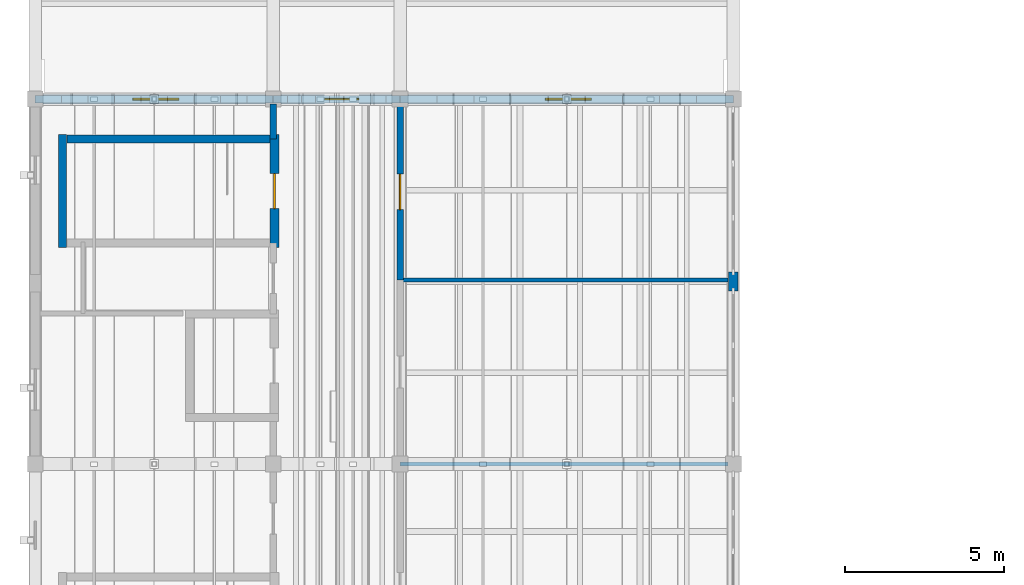
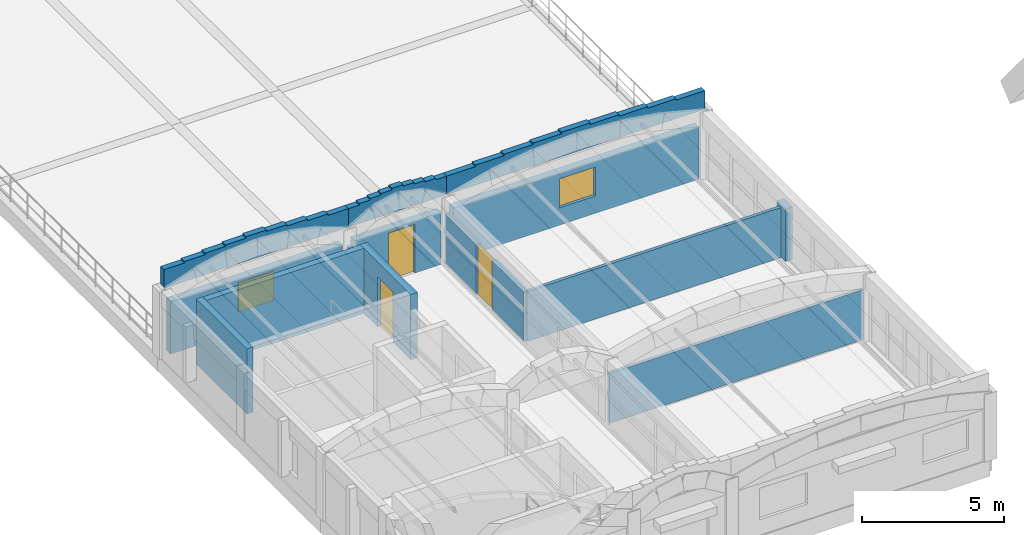
# One storey, part 29 of 40: 14 walls, 3 doors, 2 windows, 5 openings.
"""IFC4 building model written with IfcOpenShell, lengths in metres."""

from ifc_helpers import new_model, si_unit, direction, frame, frame_2d, origin, place, context, subcontext, project, spatial, polyline, rectangle, outline, extrude, material, layer, layer_set, type_object, element, fill, save


model = new_model("IFC4")

# Units and contexts
model_context = context("Model", 3, precision=1e-05, world=origin(), true_north=direction((0.0, 1.0)))
body_context = subcontext(model_context, "Body", "Model", "MODEL_VIEW")
ifc_project = project(units=[si_unit("LENGTHUNIT", "METRE"), si_unit("AREAUNIT", "SQUARE_METRE"), si_unit("VOLUMEUNIT", "CUBIC_METRE"), si_unit("PLANEANGLEUNIT", "RADIAN"), si_unit("MASSUNIT", "GRAM", prefix="KILO")], contexts=[model_context])

# Site, building, storey
site_placement = place(None, origin())
site = spatial("IfcSite", under=ifc_project, at=site_placement, CompositionType="ELEMENT")
building_placement = place(site_placement, origin())
building = spatial("IfcBuilding", under=site, at=building_placement, Name="Trellovar Central Fire Station", CompositionType="ELEMENT")
storey_placement = place(building_placement, frame((0.0, 0.0, 12.75)))
storey = spatial("IfcBuildingStorey", under=building, at=storey_placement, Name="L04", CompositionType="ELEMENT", Elevation=12.75)

# Wall, opening, window
ifc_material_1 = material(Name="Glazed ceramic trencadis and terracotta panel", Category="masonry")
ifc_layer_1 = layer(ifc_material_1, 0.300048828125)
ifc_layer_set_1 = layer_set([ifc_layer_1], Name="Glazed ceramic trencadis and terracotta panel")
wall_type_1 = type_object("IfcWallType", Name="EW-4", PredefinedType="STANDARD", material=ifc_layer_set_1)
wall_1_placement = place(storey_placement, frame((8.25, 29.0, 0.0), z_axis=(0.0, 0.0, 1.0), x_axis=(-1.0, 0.0, 0.0)))
wall_1 = element("IfcWall", 1, at=wall_1_placement, inside=storey, type_object=wall_type_1, Name="V4 L04 north wall 1", PredefinedType="STANDARD", context=body_context, shape_type="SweptSolid", body=[
    extrude(rectangle(XDim=7.0, YDim=0.300048828125, at=frame_2d((3.5, 0.0))), origin(), (0.0, 0.0, 1.0), 2.25),
])
opening_1_placement = place(wall_1_placement, frame((2.72509765625, 0.0, 0.75)))
opening_1 = element("IfcOpeningElement", 2, at=opening_1_placement, cuts=wall_1, Name="Opening W-08", PredefinedType="OPENING", context=body_context, shape_type="SweptSolid", body=[
    extrude(rectangle(XDim=1.449951171875, YDim=1.25, at=frame_2d((0.72509765625, 0.625))), frame((0.0, 0.159912109375, 0.0), z_axis=(0.0, -1.0, 0.0), x_axis=(1.0, 0.0, 0.0)), (0.0, 0.0, 1.0), 0.320068359375),
])
ifc_material_2 = material(Name="Thermally broken bronze anodized aluminum", Category="aluminium")
window_type = type_object("IfcWindowType", Name="WIN-08", PartitioningType="DOUBLE_PANEL_HORIZONTAL", PredefinedType="WINDOW", material=ifc_material_2)
window_1_placement = place(opening_1_placement, origin())
window_1 = element("IfcWindow", 3, at=window_1_placement, inside=storey, type_object=window_type, Name="L04 window W-08", OverallHeight=1.25, OverallWidth=1.449951171875, PartitioningType="DOUBLE_PANEL_HORIZONTAL", PredefinedType="WINDOW", context=body_context, shape_type="SweptSolid", body=[
    extrude(rectangle(XDim=1.449951171875, YDim=1.25, at=frame_2d((0.72509765625, 0.625))), frame((0.0, 0.030029296875, 0.0), z_axis=(0.0, -1.0, 0.0), x_axis=(1.0, 0.0, 0.0)), (0.0, 0.0, 1.0), 0.06005859375),
])
fill(opening_1, window_1)

# Wall, opening, door
wall_2_placement = place(storey_placement, frame((12.25, 29.0, 0.0), z_axis=(0.0, 0.0, 1.0), x_axis=(-1.0, 0.0, 0.0)))
wall_2 = element("IfcWall", 4, at=wall_2_placement, inside=storey, type_object=wall_type_1, Name="V4 L04 north wall 2", PredefinedType="STANDARD", context=body_context, shape_type="SweptSolid", body=[
    extrude(rectangle(XDim=3.5, YDim=0.300048828125, at=frame_2d((1.75, 0.0))), origin(), (0.0, 0.0, 1.0), 2.25),
])
opening_2_placement = place(wall_2_placement, frame((1.050048828125, 0.0, 0.0)))
opening_2 = element("IfcOpeningElement", 5, at=opening_2_placement, cuts=wall_2, Name="Opening EX-3", PredefinedType="OPENING", context=body_context, shape_type="SweptSolid", body=[
    extrude(rectangle(XDim=1.080078125, YDim=2.10009765625, at=frame_2d((0.5400390625, 1.050048828125))), frame((0.0, 0.159912109375, 0.0), z_axis=(0.0, -1.0, 0.0), x_axis=(1.0, 0.0, 0.0)), (0.0, 0.0, 1.0), 0.320068359375),
])
ifc_material_3 = material(Name="Thermally broken bronze anodized aluminum", Category="aluminium")
door_type_1 = type_object("IfcDoorType", Name="DR-EXT3", OperationType="SINGLE_SWING_LEFT", PredefinedType="DOOR", material=ifc_material_3)
door_1_placement = place(opening_2_placement, frame((1.080078125, 0.0, 0.0), z_axis=(0.0, 0.0, 1.0), x_axis=(-1.0, 0.0, 0.0)))
door_1 = element("IfcDoor", 6, at=door_1_placement, inside=storey, type_object=door_type_1, Name="V4 L04 north roof terrace access door", OperationType="SINGLE_SWING_LEFT", OverallHeight=2.10009765625, OverallWidth=1.080078125, PredefinedType="DOOR", context=body_context, shape_type="SweptSolid", body=[
    extrude(rectangle(XDim=1.080078125, YDim=2.10009765625, at=frame_2d((0.5400390625, 1.050048828125))), frame((0.0, 0.02490234375, 0.0), z_axis=(0.0, -1.0, 0.0), x_axis=(1.0, 0.0, 0.0)), (0.0, 0.0, 1.0), 0.050048828125),
])
fill(opening_2, door_1)

# Wall, opening, window
wall_3_placement = place(storey_placement, frame((22.75, 29.0, 0.0), z_axis=(0.0, 0.0, 1.0), x_axis=(-1.0, 0.0, 0.0)))
wall_3 = element("IfcWall", 7, at=wall_3_placement, inside=storey, type_object=wall_type_1, Name="V4 L04 north wall 3", PredefinedType="STANDARD", context=body_context, shape_type="SweptSolid", body=[
    extrude(rectangle(XDim=10.0, YDim=0.300048828125, at=frame_2d((5.0, 0.0))), origin(), (0.0, 0.0, 1.0), 2.25),
])
opening_3_placement = place(wall_3_placement, frame((4.22509765625, 0.0, 0.75)))
opening_3 = element("IfcOpeningElement", 8, at=opening_3_placement, cuts=wall_3, Name="Opening W-08", PredefinedType="OPENING", context=body_context, shape_type="SweptSolid", body=[
    extrude(rectangle(XDim=1.449951171875, YDim=1.25, at=frame_2d((0.72509765625, 0.625))), frame((0.0, 0.159912109375, 0.0), z_axis=(0.0, -1.0, 0.0), x_axis=(1.0, 0.0, 0.0)), (0.0, 0.0, 1.0), 0.320068359375),
])
window_2_placement = place(opening_3_placement, origin())
window_2 = element("IfcWindow", 9, at=window_2_placement, inside=storey, type_object=window_type, Name="L04 window W-08", OverallHeight=1.25, OverallWidth=1.449951171875, PartitioningType="DOUBLE_PANEL_HORIZONTAL", PredefinedType="WINDOW", context=body_context, shape_type="SweptSolid", body=[
    extrude(rectangle(XDim=1.449951171875, YDim=1.25, at=frame_2d((0.72509765625, 0.625))), frame((0.0, 0.030029296875, 0.0), z_axis=(0.0, -1.0, 0.0), x_axis=(1.0, 0.0, 0.0)), (0.0, 0.0, 1.0), 0.06005859375),
])
fill(opening_3, window_2)

# Walls
wall_4_placement = place(storey_placement, frame((23.0, 22.949951171875, 0.0), z_axis=(0.0, 0.0, 1.0), x_axis=(0.0, 1.0, 0.0)))
element("IfcWall", 10, at=wall_4_placement, inside=storey, type_object=wall_type_1, Name="V4 L04 courtyard mullion pier", PredefinedType="STANDARD", context=body_context, shape_type="SweptSolid", body=[
    extrude(rectangle(XDim=0.60009765625, YDim=0.300048828125, at=frame_2d((0.300048828125, 0.0))), origin(), (0.0, 0.0, 1.0), 2.25),
])
ifc_material_4 = material(Name="Glazed ceramic trencadis and terracotta panel", Category="masonry")
ifc_layer_2 = layer(ifc_material_4, 0.239990234375)
ifc_layer_set_2 = layer_set([ifc_layer_2], Name="Glazed ceramic trencadis and terracotta panel")
wall_type_2 = type_object("IfcWallType", Name="PAR-2", PredefinedType="PARAPET", material=ifc_layer_set_2)
wall_5_placement = place(storey_placement, frame((1.0, 29.0, 2.89990234375), z_axis=(0.0, 0.0, 1.0), x_axis=(1.0, 0.0, 0.0)))
element("IfcWall", 11, at=wall_5_placement, inside=storey, type_object=wall_type_2, Name="L04 Catalan stepped parapet", PredefinedType="PARAPET", context=body_context, shape_type="SweptSolid", body=[
    extrude(outline(polyline([(0.0, 0.0), (7.5, 0.0), (7.5, 0.800048828125), (6.667724609375, 0.800048828125), (6.666748046875, 0.862548828125), (5.834228515625, 0.862548828125), (5.833251953125, 0.925048828125), (5.0009765625, 0.925048828125), (5.0, 0.987548828125), (4.167724609375, 0.987548828125), (4.166748046875, 1.050048828125), (3.334228515625, 1.050048828125), (3.333251953125, 0.987548828125), (2.5009765625, 0.987548828125), (2.5, 0.925048828125), (1.667724609375, 0.925048828125), (1.666748046875, 0.862548828125), (0.834228515625, 0.862548828125), (0.833251953125, 0.800048828125), (0.0, 0.800048828125), (0.0, 0.0)])), frame((0.0, 0.1201171875, 0.0), z_axis=(0.0, -1.0, 0.0), x_axis=(1.0, 0.0, 0.0)), (0.0, 0.0, 1.0), 0.239990234375),
])
wall_6_placement = place(storey_placement, frame((8.5, 29.0, 2.89990234375), z_axis=(0.0, 0.0, 1.0), x_axis=(1.0, 0.0, 0.0)))
element("IfcWall", 12, at=wall_6_placement, inside=storey, type_object=wall_type_2, Name="L04 Catalan stepped parapet", PredefinedType="PARAPET", context=body_context, shape_type="SweptSolid", body=[
    extrude(outline(polyline([(0.0, 0.0), (4.0, 0.0), (4.0, 0.800048828125), (3.556640625, 0.800048828125), (3.5556640625, 0.862548828125), (3.112060546875, 0.862548828125), (3.111083984375, 0.925048828125), (2.667724609375, 0.925048828125), (2.666748046875, 0.987548828125), (2.22314453125, 0.987548828125), (2.22216796875, 1.050048828125), (1.77880859375, 1.050048828125), (1.77783203125, 0.987548828125), (1.334228515625, 0.987548828125), (1.333251953125, 0.925048828125), (0.889892578125, 0.925048828125), (0.888916015625, 0.862548828125), (0.4453125, 0.862548828125), (0.4443359375, 0.800048828125), (0.0, 0.800048828125), (0.0, 0.0)])), frame((0.0, 0.1201171875, 0.0), z_axis=(0.0, -1.0, 0.0), x_axis=(1.0, 0.0, 0.0)), (0.0, 0.0, 1.0), 0.239990234375),
])
wall_7_placement = place(storey_placement, frame((12.5, 29.0, 2.89990234375), z_axis=(0.0, 0.0, 1.0), x_axis=(1.0, 0.0, 0.0)))
element("IfcWall", 13, at=wall_7_placement, inside=storey, type_object=wall_type_2, Name="L04 Catalan stepped parapet", PredefinedType="PARAPET", context=body_context, shape_type="SweptSolid", body=[
    extrude(outline(polyline([(0.0, 0.0), (10.5, 0.0), (10.5, 0.800048828125), (9.334228515625, 0.800048828125), (9.333251953125, 0.862548828125), (8.167724609375, 0.862548828125), (8.166748046875, 0.925048828125), (7.0009765625, 0.925048828125), (7.0, 0.987548828125), (5.834228515625, 0.987548828125), (5.833251953125, 1.050048828125), (4.667724609375, 1.050048828125), (4.666748046875, 0.987548828125), (3.5009765625, 0.987548828125), (3.5, 0.925048828125), (2.334228515625, 0.925048828125), (2.333251953125, 0.862548828125), (1.167724609375, 0.862548828125), (1.166748046875, 0.800048828125), (0.0, 0.800048828125), (0.0, 0.0)])), frame((0.0, 0.1201171875, 0.0), z_axis=(0.0, -1.0, 0.0), x_axis=(1.0, 0.0, 0.0)), (0.0, 0.0, 1.0), 0.239990234375),
])
ifc_material_5 = material(Name="Acoustic concrete masonry unit", Category="masonry")
ifc_layer_3 = layer(ifc_material_5, 0.199951171875)
ifc_layer_set_3 = layer_set([ifc_layer_3], Name="Acoustic concrete masonry unit")
wall_type_3 = type_object("IfcWallType", Name="PT-1", PredefinedType="PARTITIONING", material=ifc_layer_set_3)
wall_8_placement = place(storey_placement, frame((8.5, 27.739990234375, 0.0), z_axis=(0.0, 0.0, 1.0), x_axis=(0.0, 1.0, 0.0)))
element("IfcWall", 14, at=wall_8_placement, inside=storey, type_object=wall_type_3, Name="V4 L04 west corridor spine 4", PredefinedType="PARTITIONING", context=body_context, shape_type="SweptSolid", body=[
    extrude(rectangle(XDim=1.110107421875, YDim=0.199951171875, at=frame_2d((0.55517578125, 0.0))), origin(), (0.0, 0.0, 1.0), 2.14990234375),
])

# Wall, opening, door
wall_9_placement = place(storey_placement, frame((12.5, 23.300048828125, 0.0), z_axis=(0.0, 0.0, 1.0), x_axis=(0.0, 1.0, 0.0)))
wall_9 = element("IfcWall", 15, at=wall_9_placement, inside=storey, type_object=wall_type_3, Name="V4 L04 east corridor spine", PredefinedType="PARTITIONING", context=body_context, shape_type="SweptSolid", body=[
    extrude(rectangle(XDim=5.550048828125, YDim=0.199951171875, at=frame_2d((2.77490234375, 0.0))), origin(), (0.0, 0.0, 1.0), 2.14990234375),
])
opening_4_placement = place(wall_9_placement, frame((2.215087890625, 0.0, 0.0)))
opening_4 = element("IfcOpeningElement", 16, at=opening_4_placement, cuts=wall_9, Name="Opening ID-12", PredefinedType="OPENING", context=body_context, shape_type="SweptSolid", body=[
    extrude(rectangle(XDim=1.1201171875, YDim=2.14990234375, at=frame_2d((0.56005859375, 1.074951171875))), frame((0.0, 0.10986328125, 0.0), z_axis=(0.0, -1.0, 0.0), x_axis=(1.0, 0.0, 0.0)), (0.0, 0.0, 1.0), 0.219970703125),
])
ifc_material_6 = material(Name="Hollow galvanized steel with acoustic core", Category="steel")
door_type_2 = type_object("IfcDoorType", Name="DR-INT12", OperationType="SINGLE_SWING_LEFT", PredefinedType="DOOR", material=ifc_material_6)
door_2_placement = place(opening_4_placement, origin())
door_2 = element("IfcDoor", 17, at=door_2_placement, inside=storey, type_object=door_type_2, Name="V4 L04 east room door", OperationType="SINGLE_SWING_LEFT", OverallHeight=2.14990234375, OverallWidth=1.1201171875, PredefinedType="DOOR", context=body_context, shape_type="SweptSolid", body=[
    extrude(rectangle(XDim=1.1201171875, YDim=2.14990234375, at=frame_2d((0.56005859375, 1.074951171875))), frame((0.0, 0.02490234375, 0.0), z_axis=(0.0, -1.0, 0.0), x_axis=(1.0, 0.0, 0.0)), (0.0, 0.0, 1.0), 0.050048828125),
])
fill(opening_4, door_2)

# Walls
ifc_material_7 = material(Name="Fire-rated acoustic gypsum stud partition", Category="gypsum")
ifc_layer_4 = layer(ifc_material_7, 0.135009765625)
ifc_layer_set_4 = layer_set([ifc_layer_4], Name="Fire-rated acoustic gypsum stud partition")
wall_type_4 = type_object("IfcWallType", Name="PT-7", PredefinedType="PARTITIONING", material=ifc_layer_set_4)
for number, where, z_axis, x_axis, name in (
    (18, (12.5, 17.5, 0.0), (0.0, 0.0, 1.0), (1.0, 0.0, 0.0), "V4 L04 east room divider Y=17.50"),
    (19, (12.5, 23.300048828125, 0.0), (0.0, 0.0, 1.0), (1.0, 0.0, 0.0), "V4 L04 east room divider Y=23.30"),
):
    element("IfcWall", number, at=place(storey_placement, frame(where, z_axis=z_axis, x_axis=x_axis)), inside=storey, type_object=wall_type_4, Name=name, PredefinedType="PARTITIONING", context=body_context, shape_type="SweptSolid", body=[
        extrude(rectangle(XDim=10.340087890625, YDim=0.135009765625, at=frame_2d((5.169921875, 0.0))), origin(), (0.0, 0.0, 1.0), 2.14990234375),
    ])

# Wall, opening, door
ifc_material_8 = material(Name="Concrete C40/50", Category="concrete")
ifc_layer_5 = layer(ifc_material_8, 0.280029296875)
ifc_layer_set_5 = layer_set([ifc_layer_5], Name="Concrete C40/50")
wall_type_5 = type_object("IfcWallType", Name="SW-1", PredefinedType="SHEAR", material=ifc_layer_set_5)
wall_10_placement = place(storey_placement, frame((8.5400390625, 27.8798828125, 0.0), z_axis=(0.0, 0.0, 1.0), x_axis=(0.0, -1.0, 0.0)))
wall_10 = element("IfcWall", 20, at=wall_10_placement, inside=storey, type_object=wall_type_5, Name="Stair ST-04 L04 front corridor wall", PredefinedType="SHEAR", context=body_context, shape_type="SweptSolid", body=[
    extrude(rectangle(XDim=3.559814453125, YDim=0.280029296875, at=frame_2d((1.77978515625, 0.0))), origin(), (0.0, 0.0, 1.0), 2.800048828125),
])
opening_5_placement = place(wall_10_placement, frame((1.22998046875, 0.0, 0.0)))
opening_5 = element("IfcOpeningElement", 21, at=opening_5_placement, cuts=wall_10, Name="Opening SD-2", PredefinedType="OPENING", context=body_context, shape_type="SweptSolid", body=[
    extrude(rectangle(XDim=1.10009765625, YDim=2.14990234375, at=frame_2d((0.550048828125, 1.074951171875))), frame((0.0, 0.14990234375, 0.0), z_axis=(0.0, -1.0, 0.0), x_axis=(1.0, 0.0, 0.0)), (0.0, 0.0, 1.0), 0.300048828125),
])
ifc_material_9 = material(Name="Hollow galvanized steel with acoustic core", Category="steel")
door_type_3 = type_object("IfcDoorType", Name="DR-STR2", OperationType="SINGLE_SWING_LEFT", PredefinedType="DOOR", material=ifc_material_9)
door_3_placement = place(opening_5_placement, origin())
door_3 = element("IfcDoor", 22, at=door_3_placement, inside=storey, type_object=door_type_3, Name="Stair ST-04 L04 fire door", OperationType="SINGLE_SWING_RIGHT", OverallHeight=2.14990234375, OverallWidth=1.10009765625, PredefinedType="DOOR", context=body_context, shape_type="SweptSolid", body=[
    extrude(rectangle(XDim=1.10009765625, YDim=2.14990234375, at=frame_2d((0.550048828125, 1.074951171875))), frame((0.0, 0.02490234375, 0.0), z_axis=(0.0, -1.0, 0.0), x_axis=(1.0, 0.0, 0.0)), (0.0, 0.0, 1.0), 0.050048828125),
])
fill(opening_5, door_3)

# Walls
ifc_material_10 = material(Name="Concrete C40/50", Category="concrete")
ifc_layer_6 = layer(ifc_material_10, 0.25)
ifc_layer_set_6 = layer_set([ifc_layer_6], Name="Concrete C40/50")
wall_type_6 = type_object("IfcWallType", Name="SW-2", PredefinedType="SHEAR", material=ifc_layer_set_6)
wall_11_placement = place(storey_placement, frame((1.860107421875, 24.320068359375, 0.0), z_axis=(0.0, 0.0, 1.0), x_axis=(0.0, 1.0, 0.0)))
element("IfcWall", 23, at=wall_11_placement, inside=storey, type_object=wall_type_6, Name="Stair ST-04 L04 rear wall", PredefinedType="SHEAR", context=body_context, shape_type="SweptSolid", body=[
    extrude(rectangle(XDim=3.559814453125, YDim=0.25, at=frame_2d((1.77978515625, 0.0))), origin(), (0.0, 0.0, 1.0), 2.800048828125),
])
wall_12_placement = place(storey_placement, frame((8.39990234375, 27.739990234375, 0.0), z_axis=(0.0, 0.0, 1.0), x_axis=(-1.0, 0.0, 0.0)))
element("IfcWall", 24, at=wall_12_placement, inside=storey, type_object=wall_type_6, Name="Stair ST-04 L04 left wall", PredefinedType="SHEAR", context=body_context, shape_type="SweptSolid", body=[
    extrude(rectangle(XDim=6.39990234375, YDim=0.25, at=frame_2d((3.199951171875, 0.0))), origin(), (0.0, 0.0, 1.0), 2.800048828125),
])

save(model, "model.ifc")
